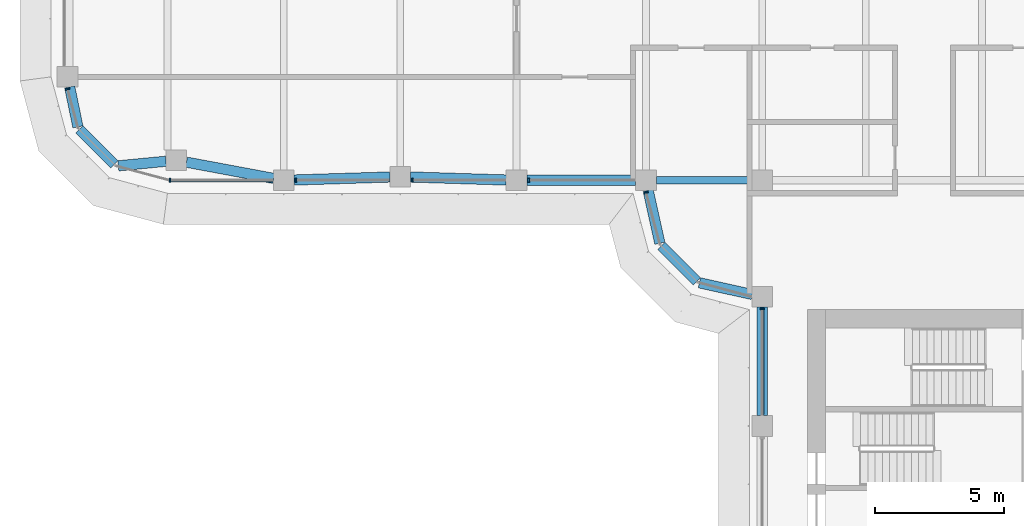
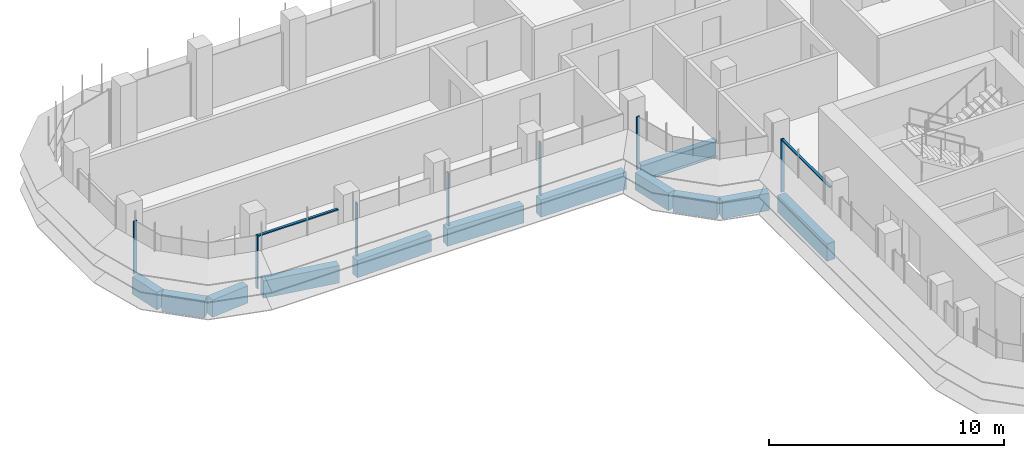
# One storey, part 3 of 19: 12 beams, 9 members, 4 elements without a shape of their own.
"""IFC4 building model written with IfcOpenShell, lengths in metres."""

from ifc_helpers import new_model, si_unit, direction, frame, origin, origin_2d, place, context, subcontext, project, spatial, polyline, rectangle, i_section, outline, extrude, source, transform, mapped, material, material_profile, profile_set, type_object, element, aggregate, save


model = new_model("IFC4")

# Units and contexts
model_context = context("Model", 3, precision=1e-05, world=origin(), true_north=direction((0.0, 1.0)))
body_context = subcontext(model_context, "Body", "Model", "MODEL_VIEW")
ifc_project = project(units=[si_unit("LENGTHUNIT", "METRE"), si_unit("AREAUNIT", "SQUARE_METRE"), si_unit("VOLUMEUNIT", "CUBIC_METRE"), si_unit("PLANEANGLEUNIT", "RADIAN"), si_unit("MASSUNIT", "GRAM", prefix="KILO")], contexts=[model_context])

# Site, building, storey
site_placement = place(None, origin())
site = spatial("IfcSite", under=ifc_project, at=site_placement, CompositionType="ELEMENT")
building_placement = place(site_placement, origin())
building = spatial("IfcBuilding", under=site, at=building_placement, Name="Zarbagh Exchange Tower", CompositionType="ELEMENT")
storey_placement = place(building_placement, frame((0.0, 0.0, 171.39990234375)))
storey = spatial("IfcBuildingStorey", under=building, at=storey_placement, Name="L41", CompositionType="ELEMENT", Elevation=171.39990234375)

# Beams
ifc_material_1 = material(Name="Steel ASTM A992 Gr 50", Category="steel")
ifc_material_profile_1 = material_profile(ifc_material_1, i_section(OverallWidth=0.2919921875, OverallDepth=0.835693359375, WebThickness=0.013916015625, FlangeThickness=0.018798828125, at=origin_2d()), Name="W33X118")
ifc_profile_set_1 = profile_set([ifc_material_profile_1], Name="Steel ASTM A992 Gr 50")
beam_type_1 = type_object("IfcBeamType", Name="Floor girder W33X118", PredefinedType="BEAM", material=ifc_profile_set_1)
beam_1_placement = place(storey_placement, frame((-10.35009765625, -6.25, -0.567626953125), z_axis=(1.0, 0.0, 0.0), x_axis=(0.0, 1.0, 0.0)))
element("IfcBeam", 1, at=beam_1_placement, inside=storey, type_object=beam_type_1, Name="Steel girder", PredefinedType="BEAM", context=body_context, shape_type="SweptSolid", body=[
    extrude(i_section(OverallWidth=0.2919921875, OverallDepth=0.835693359375, WebThickness=0.013916015625, FlangeThickness=0.018798828125, at=origin_2d()), origin(), (0.0, 0.0, 1.0), 3.7001953125),
])
ifc_material_2 = material(Name="Concrete C50/60", Category="concrete")
ifc_material_profile_2 = material_profile(ifc_material_2, rectangle(XDim=0.39990234375, YDim=0.89990234375, at=origin_2d()), Name="RC spandrel beam 400 x 900 C50/60")
ifc_profile_set_2 = profile_set([ifc_material_profile_2], Name="Concrete C50/60")
beam_type_2 = type_object("IfcBeamType", Name="RC spandrel beam 400 x 900 C50/60", PredefinedType="SPANDREL", material=ifc_profile_set_2)
beam_2_placement = place(storey_placement, frame((-6.25, -15.35009765625, -0.599853515625), z_axis=(0.0, 1.0, 0.0), x_axis=(-1.0, 0.0, 0.0)))
element("IfcBeam", 2, at=beam_2_placement, inside=storey, type_object=beam_type_2, Name="RC spandrel beam", PredefinedType="SPANDREL", context=body_context, shape_type="SweptSolid", body=[
    extrude(rectangle(XDim=0.39990234375, YDim=0.89990234375, at=origin_2d()), origin(), (0.0, 0.0, 1.0), 4.2001953125),
])
beam_3_placement = place(storey_placement, frame((-6.640625, -10.66357421875, -0.599853515625), z_axis=(-0.976384278741, 0.216041061437, 0.0), x_axis=(-0.216041061437, -0.976384278741, 0.0)))
element("IfcBeam", 3, at=beam_3_placement, inside=storey, type_object=beam_type_2, Name="RC spandrel beam", PredefinedType="SPANDREL", context=body_context, shape_type="SweptSolid", body=[
    extrude(rectangle(XDim=0.39990234375, YDim=0.89990234375, at=origin_2d()), origin(), (0.0, 0.0, 1.0), 2.0927734375),
])
beam_4_placement = place(storey_placement, frame((-8.782470703125, -10.15771484375, -0.599853515625), z_axis=(-0.707106781187, 0.707106781187, 0.0), x_axis=(-0.707106781187, -0.707106781187, 0.0)))
element("IfcBeam", 4, at=beam_4_placement, inside=storey, type_object=beam_type_2, Name="RC spandrel beam", PredefinedType="SPANDREL", context=body_context, shape_type="SweptSolid", body=[
    extrude(rectangle(XDim=0.39990234375, YDim=0.89990234375, at=origin_2d()), origin(), (0.0, 0.0, 1.0), 1.94482421875),
])
beam_5_placement = place(storey_placement, frame((-10.21142578125, -8.68408203125, -0.599853515625), z_axis=(-0.216041061437, 0.976384278741, 0.0), x_axis=(-0.976384278741, -0.216041061437, 0.0)))
element("IfcBeam", 5, at=beam_5_placement, inside=storey, type_object=beam_type_2, Name="RC spandrel beam", PredefinedType="SPANDREL", context=body_context, shape_type="SweptSolid", body=[
    extrude(rectangle(XDim=0.39990234375, YDim=0.89990234375, at=origin_2d()), origin(), (0.0, 0.0, 1.0), 2.0927734375),
])
beam_6_placement = place(storey_placement, frame((-11.14990234375, -6.25, -0.599853515625), z_axis=(-1.0, 0.0, 0.0), x_axis=(0.0, -1.0, 0.0)))
element("IfcBeam", 6, at=beam_6_placement, inside=storey, type_object=beam_type_2, Name="RC spandrel beam", PredefinedType="SPANDREL", context=body_context, shape_type="SweptSolid", body=[
    extrude(rectangle(XDim=0.39990234375, YDim=0.89990234375, at=origin_2d()), origin(), (0.0, 0.0, 1.0), 4.2001953125),
])
for number, where, z_axis, x_axis, name in (
    (7, (-16.14990234375, -6.237548828125, -0.599853515625), (-0.999515416033, 0.031127690444, 0.0), (-0.031127690444, -0.999515416033, 0.0), "RC spandrel beam"),
    (8, (-20.64990234375, -6.122314453125, -0.599853515625), (-0.999515416033, -0.031127690444, 0.0), (0.031127690444, -0.999515416033, 0.0), "RC spandrel beam"),
):
    element("IfcBeam", number, at=place(storey_placement, frame(where, z_axis=z_axis, x_axis=x_axis)), inside=storey, type_object=beam_type_2, Name=name, PredefinedType="SPANDREL", context=body_context, shape_type="SweptSolid", body=[
        extrude(rectangle(XDim=0.39990234375, YDim=0.89990234375, at=origin_2d()), origin(), (0.0, 0.0, 1.0), 3.701904296875),
    ])
beam_7_placement = place(storey_placement, frame((-25.143310546875, -6.1767578125, -0.599853515625), z_axis=(-0.983069862768, 0.183231124313, 0.0), x_axis=(-0.183231124313, -0.983069862768, 0.0)))
element("IfcBeam", 9, at=beam_7_placement, inside=storey, type_object=beam_type_2, Name="RC spandrel beam", PredefinedType="SPANDREL", context=body_context, shape_type="SweptSolid", body=[
    extrude(rectangle(XDim=0.39990234375, YDim=0.89990234375, at=origin_2d()), origin(), (0.0, 0.0, 1.0), 3.4296875),
])
beam_8_placement = place(storey_placement, frame((-29.30615234375, -5.51318359375, -0.599853515625), z_axis=(-0.995435353267, -0.095438239015, 0.0), x_axis=(0.095438239015, -0.995435353267, 0.0)))
element("IfcBeam", 10, at=beam_8_placement, inside=storey, type_object=beam_type_2, Name="RC spandrel beam", PredefinedType="SPANDREL", context=body_context, shape_type="SweptSolid", body=[
    extrude(rectangle(XDim=0.39990234375, YDim=0.89990234375, at=origin_2d()), origin(), (0.0, 0.0, 1.0), 1.849609375),
])
beam_9_placement = place(storey_placement, frame((-31.307861328125, -5.632080078125, -0.599853515625), z_axis=(-0.707106781187, 0.707106781187, 0.0), x_axis=(-0.707106781187, -0.707106781187, 0.0)))
element("IfcBeam", 11, at=beam_9_placement, inside=storey, type_object=beam_type_2, Name="RC spandrel beam", PredefinedType="SPANDREL", context=body_context, shape_type="SweptSolid", body=[
    extrude(rectangle(XDim=0.39990234375, YDim=0.89990234375, at=origin_2d()), origin(), (0.0, 0.0, 1.0), 1.9072265625),
])
beam_10_placement = place(storey_placement, frame((-32.7109375, -4.1826171875, -0.599853515625), z_axis=(-0.20216948151, 0.979350550491, 0.0), x_axis=(-0.979350550491, -0.20216948151, 0.0)))
element("IfcBeam", 12, at=beam_10_placement, inside=storey, type_object=beam_type_2, Name="RC spandrel beam", PredefinedType="SPANDREL", context=body_context, shape_type="SweptSolid", body=[
    extrude(rectangle(XDim=0.39990234375, YDim=0.89990234375, at=origin_2d()), origin(), (0.0, 0.0, 1.0), 1.573486328125),
])

# Curtain wall, member
ifc_material_3 = material(Name="Anodised aluminium frame and glazing", Category="aluminium")
curtain_wall_type = type_object("IfcCurtainWallType", Name="CWB Ribbon glazing, upper zones", PredefinedType="NOTDEFINED", material=ifc_material_3)
curtain_wall_1_placement = place(storey_placement, origin())
curtain_wall_1 = element("IfcCurtainWall", 13, at=curtain_wall_1_placement, inside=storey, type_object=curtain_wall_type, Name="CWB37 curtain wall", PredefinedType="NOTDEFINED")
ifc_material_4 = material(Name="Anodised aluminium frame", Category="aluminium")
member_type_1 = type_object("IfcMemberType", Name="MUB Mullion, anodised aluminium frame", PredefinedType="MULLION", material=ifc_material_4)
shared_shape_1 = source(origin(), body_context, "Body", "SweptSolid", [
    extrude(outline(polyline([(0.0, -0.080078125), (0.06005859375, -0.080078125), (0.06005859375, 0.080078125), (0.0, 0.080078125), (0.0, -0.080078125)])), origin(), (0.0, 0.0, 1.0), 2.75),
])
placement = place(storey_placement, origin())
member_1 = element("IfcMember", 14, at=placement, type_object=member_type_1, Name="CWB37 mullion 1.1", PredefinedType="MULLION", context=body_context, shape_type="MappedRepresentation", body=[
    mapped(shared_shape_1, transform((-33.114501953125, -2.68994140625, 0.0), x_axis=(0.258824779902, -0.965924289636, 0.0), y_axis=(0.965924289636, 0.258824779902, 0.0), z_axis=(0.0, 0.0, 1.0))),
])
aggregate(curtain_wall_1, [member_1])

# Curtain wall, members
curtain_wall_2_placement = place(storey_placement, origin())
curtain_wall_2 = element("IfcCurtainWall", 15, at=curtain_wall_2_placement, inside=storey, type_object=curtain_wall_type, Name="CWB40 curtain wall", PredefinedType="NOTDEFINED")
member_2 = element("IfcMember", 16, at=placement, type_object=member_type_1, Name="CWB40 mullion 1.1", PredefinedType="MULLION", context=body_context, shape_type="MappedRepresentation", body=[
    mapped(shared_shape_1, transform((-29.18408203125, -6.25, 0.0), x_axis=(1.0, 0.0, 0.0), y_axis=(0.0, 1.0, 0.0), z_axis=(0.0, 0.0, 1.0))),
])
member_3 = element("IfcMember", 17, at=placement, type_object=member_type_1, Name="CWB40 mullion 2.1", PredefinedType="MULLION", context=body_context, shape_type="MappedRepresentation", body=[
    mapped(shared_shape_1, transform((-24.31005859375, -6.25, 0.0), x_axis=(1.0, 0.0, 0.0), y_axis=(0.0, 1.0, 0.0), z_axis=(0.0, 0.0, 1.0))),
])
member_4 = element("IfcMember", 18, at=placement, type_object=member_type_1, Name="CWB40 mullion 3.1", PredefinedType="MULLION", context=body_context, shape_type="MappedRepresentation", body=[
    mapped(shared_shape_1, transform((-19.81005859375, -6.25, 0.0), x_axis=(1.0, 0.0, 0.0), y_axis=(0.0, 1.0, 0.0), z_axis=(0.0, 0.0, 1.0))),
])
member_5 = element("IfcMember", 19, at=placement, type_object=member_type_1, Name="CWB40 mullion 4.1", PredefinedType="MULLION", context=body_context, shape_type="MappedRepresentation", body=[
    mapped(shared_shape_1, transform((-15.31005859375, -6.25, 0.0), x_axis=(1.0, 0.0, 0.0), y_axis=(0.0, 1.0, 0.0), z_axis=(0.0, 0.0, 1.0))),
])

# Curtain wall, member
curtain_wall_3_placement = place(storey_placement, origin())
curtain_wall_3 = element("IfcCurtainWall", 20, at=curtain_wall_3_placement, inside=storey, type_object=curtain_wall_type, Name="CWB41 curtain wall", PredefinedType="NOTDEFINED")
member_6 = element("IfcMember", 21, at=placement, type_object=member_type_1, Name="CWB41 mullion 1.1", PredefinedType="MULLION", context=body_context, shape_type="MappedRepresentation", body=[
    mapped(shared_shape_1, transform((-10.74853515625, -6.68994140625, 0.0), x_axis=(0.258824779902, -0.965924289636, 0.0), y_axis=(0.965924289636, 0.258824779902, 0.0), z_axis=(0.0, 0.0, 1.0))),
])
aggregate(curtain_wall_3, [member_6])

# Curtain wall, members
curtain_wall_4_placement = place(storey_placement, origin())
curtain_wall_4 = element("IfcCurtainWall", 22, at=curtain_wall_4_placement, inside=storey, type_object=curtain_wall_type, Name="CWB53 curtain wall", PredefinedType="NOTDEFINED")
member_7 = element("IfcMember", 23, at=placement, type_object=member_type_1, Name="CWB53 mullion 1.1", PredefinedType="MULLION", context=body_context, shape_type="MappedRepresentation", body=[
    mapped(shared_shape_1, transform((-6.25, -11.18994140625, 0.0), x_axis=(0.0, -1.0, 0.0), y_axis=(1.0, 0.0, 0.0), z_axis=(0.0, 0.0, 1.0))),
])
member_type_2 = type_object("IfcMemberType", Name="TRB Transom, anodised aluminium frame", PredefinedType="USERDEFINED", material=ifc_material_4)
shared_shape_2 = source(origin(), body_context, "Body", "SweptSolid", [
    extrude(outline(polyline([(-0.06005859375, -0.06005859375), (0.0, -0.06005859375), (0.0, 0.06005859375), (-0.06005859375, 0.06005859375), (-0.06005859375, -0.06005859375)])), origin(), (0.0, 0.0, 1.0), 4.06005859375),
])
member_8 = element("IfcMember", 24, at=placement, type_object=member_type_2, Name="CWB53 transom 1.1", ObjectType="TRANSOM", PredefinedType="USERDEFINED", context=body_context, shape_type="MappedRepresentation", body=[
    mapped(shared_shape_2, transform((-6.25, -11.25, 2.75), x_axis=(0.0, 0.0, 1.0), y_axis=(-1.0, 0.0, 0.0), z_axis=(0.0, -1.0, 0.0))),
])
aggregate(curtain_wall_4, [member_7, member_8])

# Member
shared_shape_3 = source(origin(), body_context, "Body", "SweptSolid", [
    extrude(outline(polyline([(-0.06005859375, -0.06005859375), (0.0, -0.06005859375), (0.0, 0.06005859375), (-0.06005859375, 0.06005859375), (-0.06005859375, -0.06005859375)])), origin(), (0.0, 0.0, 1.0), 3.93408203125),
])
member_9 = element("IfcMember", 25, at=placement, type_object=member_type_2, Name="CWB40 transom 1.1", ObjectType="TRANSOM", PredefinedType="USERDEFINED", context=body_context, shape_type="MappedRepresentation", body=[
    mapped(shared_shape_3, transform((-29.124267578125, -6.25, 2.75), x_axis=(0.0, 0.0, 1.0), y_axis=(0.0, -1.0, 0.0), z_axis=(1.0, 0.0, 0.0))),
])

aggregate(curtain_wall_2, [member_2, member_9, member_3, member_4, member_5])

save(model, "model.ifc")
